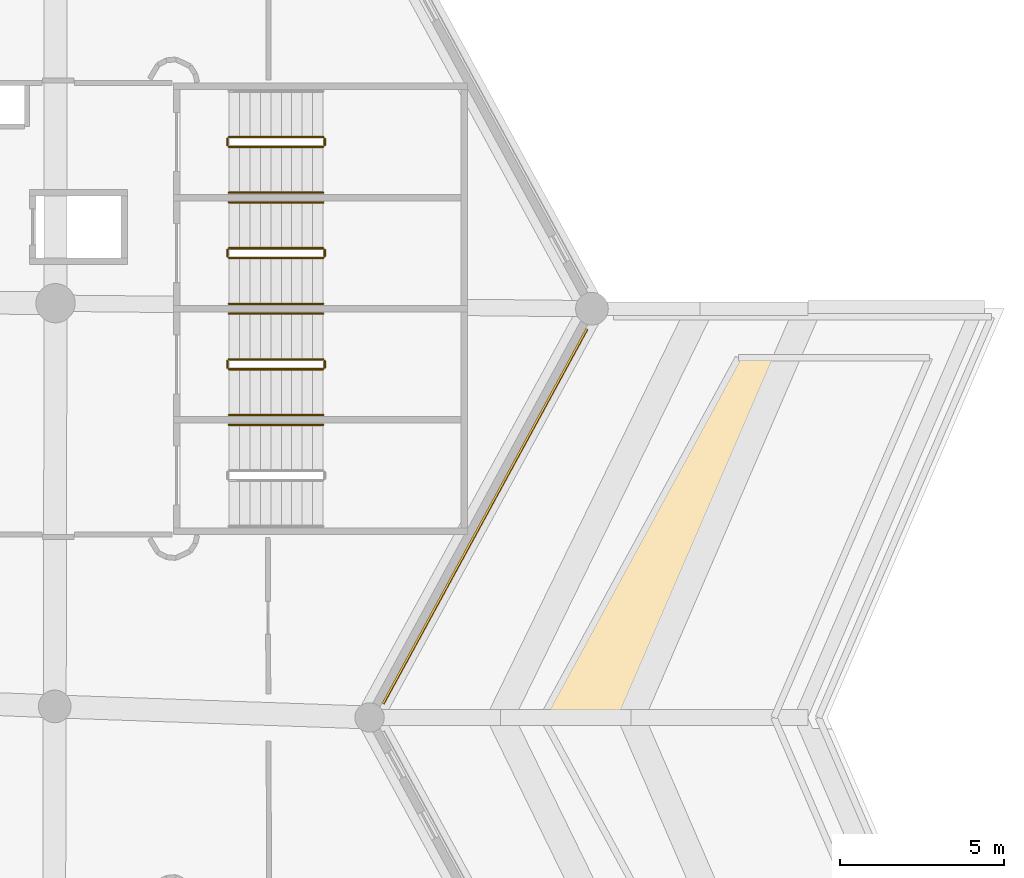
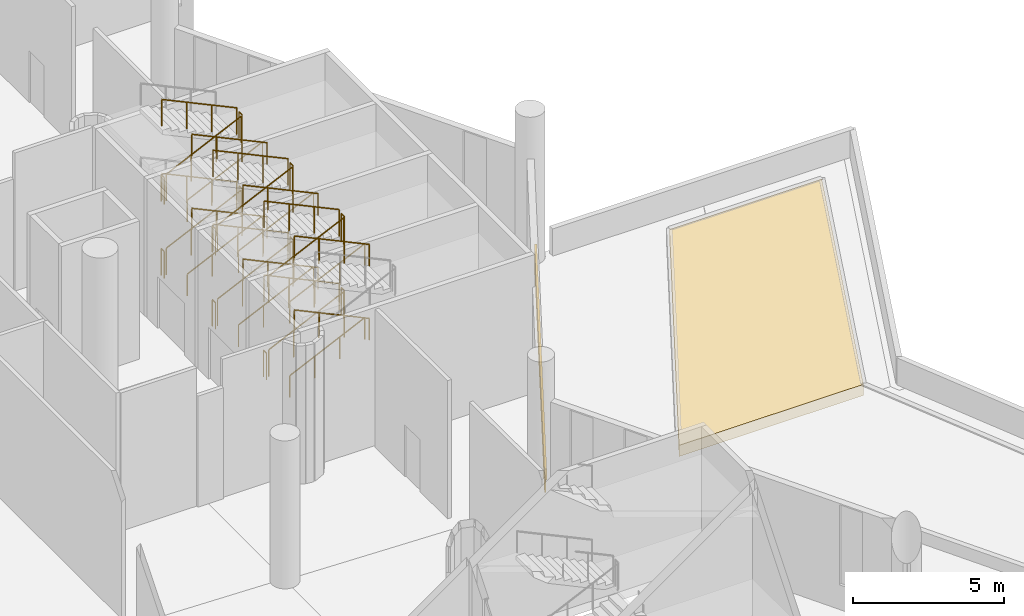
# One storey, part 141 of 173: 35 railings, 3 coverings.
"""IFC4 building model written with IfcOpenShell, lengths in metres."""

import ifcopenshell
import ifcopenshell.guid

model = None  # the IFC model being written
_history = None  # IfcOwnerHistory: only IFC2X3 demands one
_inside = {}  # id of a spatial element -> (the spatial element, [elements in it])
_under = {}  # id of a project, library or spatial element -> (it, [spatial elements below it])
_declared = {}  # id of a project -> (the project, [libraries it declares])
_typed = {}  # id of a type object -> (the type object, [elements of that type])
_made_of = {}  # id of a material, layer set ... -> (it, [elements and type objects made of it])


def new_model(schema):
    """Start an empty IFC model of exactly this schema.

    Asked for "IFC4X3", IfcOpenShell would pick the latest addendum, in which some entities
    have other attributes; the version numbers below select the first issue.
    IFC2X3 requires an IfcOwnerHistory on every rooted entity: one is made here for all.
    """
    global model, _history
    if schema == "IFC4X3":
        model = ifcopenshell.file(schema_version=(4, 3, 0, 0))
    else:
        model = ifcopenshell.file(schema=schema)
    _inside.clear()
    _under.clear()
    _declared.clear()
    _typed.clear()
    _made_of.clear()
    _history = None
    if model.schema == "IFC2X3":
        org = make("IfcOrganization", Name="unknown")
        user = make(
            "IfcPersonAndOrganization",
            ThePerson=make("IfcPerson", FamilyName="unknown"),
            TheOrganization=org,
        )
        app = make(
            "IfcApplication",
            ApplicationDeveloper=org,
            Version="unknown",
            ApplicationFullName="unknown",
            ApplicationIdentifier="unknown",
        )
        _history = make(
            "IfcOwnerHistory",
            OwningUser=user,
            OwningApplication=app,
            ChangeAction="ADDED",
            CreationDate=0,
        )
    return model


def make(cls, **values):
    """One entity of the class cls with the attributes given. An attribute that is None is left unset."""
    return model.create_entity(
        cls, **{name: value for name, value in values.items() if value is not None}
    )


def rooted(cls, **values):
    """An entity with a GlobalId (a new one), such as an element, a storey or a relation."""
    return make(cls, GlobalId=ifcopenshell.guid.new(), OwnerHistory=_history, **values)


def si_unit(unit_type, name, prefix=None):
    """IfcSIUnit, for example si_unit("LENGTHUNIT", "METRE", prefix="MILLI")."""
    return make("IfcSIUnit", UnitType=unit_type, Prefix=prefix, Name=name)


def assignment(units):
    """IfcUnitAssignment: the units of a project."""
    return None if units is None else make("IfcUnitAssignment", Units=units)


def point(xyz):
    """IfcCartesianPoint."""
    return None if xyz is None else make("IfcCartesianPoint", Coordinates=xyz)


def direction(xyz):
    """IfcDirection."""
    return None if xyz is None else make("IfcDirection", DirectionRatios=xyz)


def frame(location, z_axis=None, x_axis=None):
    """IfcAxis2Placement3D, a coordinate frame: its origin and axes. An axis left out is left unset."""
    return make(
        "IfcAxis2Placement3D",
        Location=point(location),
        Axis=direction(z_axis),
        RefDirection=direction(x_axis),
    )


def frame_2d(location, x_axis=None):
    """IfcAxis2Placement2D, a coordinate frame in the plane: its origin and x axis."""
    return make(
        "IfcAxis2Placement2D", Location=point(location), RefDirection=direction(x_axis)
    )


def origin():
    """The frame at (0, 0, 0) with its axes left unset."""
    return frame((0.0, 0.0, 0.0))


def origin_2d():
    """The frame at (0, 0) in the plane with its x axis left unset."""
    return frame_2d((0.0, 0.0))


def place(relative_to, where):
    """IfcLocalPlacement: puts the frame where relative to a parent placement (None: the world)."""
    return make(
        "IfcLocalPlacement", PlacementRelTo=relative_to, RelativePlacement=where
    )


def context(
    kind, dimensions, precision=None, world=None, true_north=None, identifier=None
):
    """IfcGeometricRepresentationContext, for example the 3D "Model" context."""
    return make(
        "IfcGeometricRepresentationContext",
        ContextIdentifier=identifier,
        ContextType=kind,
        CoordinateSpaceDimension=dimensions,
        Precision=precision,
        WorldCoordinateSystem=world,
        TrueNorth=true_north,
    )


def subcontext(parent, identifier, kind, view, scale=None):
    """IfcGeometricRepresentationSubContext, for example "Body" below "Model"."""
    return make(
        "IfcGeometricRepresentationSubContext",
        ContextIdentifier=identifier,
        ContextType=kind,
        ParentContext=parent,
        TargetScale=scale,
        TargetView=view,
    )


def project(units=None, contexts=None):
    """IfcProject with its units and contexts."""
    return rooted(
        "IfcProject",
        Name="project",
        RepresentationContexts=contexts,
        UnitsInContext=assignment(units),
    )


def spatial(cls, under=None, at=None, **own):
    """A site, building, storey or space (cls), placed at a placement, below another one or the project."""
    s = rooted(cls, ObjectPlacement=at, **own)
    if under is not None:
        _under.setdefault(under.id(), (under, []))[1].append(s)
    return s


def polyline(points):
    """IfcPolyline through the points."""
    return make("IfcPolyline", Points=[point(p) for p in points])


def profile(cls, at=None, kind="AREA", **sizes):
    """A parametric profile (cls). Its sizes go by their IFC names, for example OverallWidth=200.0."""
    return make(cls, ProfileType=kind, Position=at, **sizes)


def rectangle(**sizes):
    """IfcRectangleProfileDef."""
    return profile("IfcRectangleProfileDef", **sizes)


def circle(**sizes):
    """IfcCircleProfileDef."""
    return profile("IfcCircleProfileDef", **sizes)


def outline(outer, holes=None, kind="AREA"):
    """IfcArbitraryClosedProfileDef: a profile drawn as a closed curve; with holes, ...WithVoids."""
    if holes is None:
        return make("IfcArbitraryClosedProfileDef", ProfileType=kind, OuterCurve=outer)
    return make(
        "IfcArbitraryProfileDefWithVoids",
        ProfileType=kind,
        OuterCurve=outer,
        InnerCurves=holes,
    )


def extrude(swept, where, along, depth):
    """IfcExtrudedAreaSolid: the profile swept, set in the frame where, extruded along a direction by depth."""
    return make(
        "IfcExtrudedAreaSolid",
        SweptArea=swept,
        Position=where,
        ExtrudedDirection=direction(along),
        Depth=depth,
    )


def shape(context_of_items, identifier, shape_type, items):
    """IfcShapeRepresentation: the items that make up one representation, for example the "Body"."""
    return make(
        "IfcShapeRepresentation",
        ContextOfItems=context_of_items,
        RepresentationIdentifier=identifier,
        RepresentationType=shape_type,
        Items=items,
    )


def material(Name=None, Category=None):
    """IfcMaterial."""
    return make("IfcMaterial", Name=Name, Category=Category)


def layer(
    of_material, thickness, ventilated=None, Name=None, Category=None, Priority=None
):
    """IfcMaterialLayer: one layer of a wall or slab, of a material (None: an air gap)."""
    return make(
        "IfcMaterialLayer",
        Material=of_material,
        LayerThickness=thickness,
        IsVentilated=ventilated,
        Name=Name,
        Category=Category,
        Priority=Priority,
    )


def layer_set(layers, Name=None):
    """IfcMaterialLayerSet."""
    return make("IfcMaterialLayerSet", MaterialLayers=layers, LayerSetName=Name)


def made_of(thing, what):
    """Note that an element or type object is made of a material, layer set ...; save() writes the relation."""
    if what is not None:
        _made_of.setdefault(what.id(), (what, []))[1].append(thing)
    return thing


def type_object(cls, material=None, **own):
    """A type object (cls), such as IfcWallType, which elements share."""
    return made_of(rooted(cls, **own), material)


def element(
    cls,
    number,
    at=None,
    inside=None,
    cuts=None,
    type_object=None,
    material=None,
    context=None,
    identifier="Body",
    shape_type=None,
    held_by="IfcProductDefinitionShape",
    body=None,
    shapes=None,
    **own,
):
    """One element of the class cls, such as IfcWall. Its Tag is "e" and its number.

    at: its placement. inside: the storey or other place that contains it. cuts: it is an
    opening in that element (IfcRelVoidsElement). A single representation is given by context,
    identifier, shape_type and body (its items); several are given by shapes. held_by: the class
    of the entity that holds the representations. save() writes the other relations.
    """
    e = rooted(cls, Tag="e%d" % number, ObjectPlacement=at, **own)
    if body is not None:
        shapes = [shape(context, identifier, shape_type, body)]
    if shapes is not None:
        e.Representation = make(held_by, Representations=shapes)
    if inside is not None:
        _inside.setdefault(inside.id(), (inside, []))[1].append(e)
    if cuts is not None:
        rooted(
            "IfcRelVoidsElement", RelatingBuildingElement=cuts, RelatedOpeningElement=e
        )
    if type_object is not None:
        _typed.setdefault(type_object.id(), (type_object, []))[1].append(e)
    return made_of(e, material)


def aggregate(whole, parts):
    """IfcRelAggregates: a whole, such as a stair, and the parts it consists of."""
    return rooted("IfcRelAggregates", RelatingObject=whole, RelatedObjects=parts)


def save(model, path):
    """Write the relations noted so far, then the file.

    IfcRelAggregates (storeys below a building ...), IfcRelContainedInSpatialStructure (elements
    in a storey), IfcRelDefinesByType, IfcRelAssociatesMaterial and IfcRelDeclares: one each for
    every whole, place, type object, material and project.
    """
    for whole, parts in _under.values():
        aggregate(whole, parts)
    for where, things in _inside.values():
        rooted(
            "IfcRelContainedInSpatialStructure",
            RelatedElements=things,
            RelatingStructure=where,
        )
    for kind, things in _typed.values():
        rooted("IfcRelDefinesByType", RelatedObjects=things, RelatingType=kind)
    for what, things in _made_of.values():
        rooted("IfcRelAssociatesMaterial", RelatedObjects=things, RelatingMaterial=what)
    for by, libraries in _declared.values():
        rooted("IfcRelDeclares", RelatingContext=by, RelatedDefinitions=libraries)
    model.write(path)


model = new_model("IFC4")

# Units and contexts
model_context = context("Model", 3, precision=1e-05, world=origin(), true_north=direction((0.0, 1.0)))
body_context = subcontext(model_context, "Body", "Model", "MODEL_VIEW")
ifc_project = project(units=[si_unit("LENGTHUNIT", "METRE"), si_unit("AREAUNIT", "SQUARE_METRE"), si_unit("VOLUMEUNIT", "CUBIC_METRE"), si_unit("PLANEANGLEUNIT", "RADIAN"), si_unit("MASSUNIT", "GRAM", prefix="KILO")], contexts=[model_context])

# Site, building, storey
site_placement = place(None, origin())
site = spatial("IfcSite", under=ifc_project, at=site_placement, CompositionType="ELEMENT")
building_placement = place(site_placement, origin())
building = spatial("IfcBuilding", under=site, at=building_placement, Name="Meseta Stadium", CompositionType="ELEMENT")
storey_placement = place(building_placement, frame((0.0, 0.0, 18.0)))
storey = spatial("IfcBuildingStorey", under=building, at=storey_placement, Name="L03", CompositionType="ELEMENT", Elevation=18.0)

# Coverings
ifc_material_1 = material(Name="Guadarrama granite cladding", Category="masonry")
ifc_layer_1 = layer(ifc_material_1, 0.06005859375)
ifc_layer_set_1 = layer_set([ifc_layer_1], Name="Granite plinth cladding 60")
covering_type_1 = type_object("IfcCoveringType", Name="Granite plinth cladding 60", PredefinedType="CLADDING", material=ifc_layer_set_1)
covering_1_placement = place(storey_placement, frame((98.124267578125, -12.595947265625, 0.0), z_axis=(0.0, 0.0, 1.0), x_axis=(-0.47786723231, -0.878432073802, 0.0)))
element("IfcCovering", 1, at=covering_1_placement, inside=storey, type_object=covering_type_1, Name="Granite plinth L03 F03", PredefinedType="CLADDING", context=body_context, shape_type="SweptSolid", body=[
    extrude(rectangle(XDim=13.040283203125, YDim=0.06005859375, at=origin_2d()), origin(), (0.0, 0.0, 1.0), 0.5),
])
ifc_material_2 = material(Name="Planting soil")
ifc_layer_2 = layer(ifc_material_2, 0.449951171875)
ifc_layer_set_2 = layer_set([ifc_layer_2], Name="Planting soil 450")
covering_type_2 = type_object("IfcCoveringType", Name="Planting soil 450", PredefinedType="FLOORING", material=ifc_layer_set_2)
covering_2_placement = place(storey_placement, origin())
element("IfcCovering", 2, at=covering_2_placement, inside=storey, type_object=covering_type_2, Name="Roof garden planting bed 8.1 panel 03", PredefinedType="FLOORING", context=body_context, shape_type="SweptSolid", body=[
    extrude(outline(polyline([(105.87744140625, -7.75), (99.8935546875, -18.75), (106.966064453125, -18.75), (111.718017578125, -7.75), (105.87744140625, -7.75)])), origin(), (0.0, 0.0, 1.0), 0.449951171875),
])

# Railings
ifc_material_3 = material(Name="Steel S355", Category="steel")
railing_type_1 = type_object("IfcRailingType", Name="Stair guard 1100", PredefinedType="GUARDRAIL", material=ifc_material_3)
railing_1_placement = place(storey_placement, frame((90.300048828125, -8.10009765625, 0.14990234375)))
element("IfcRailing", 3, at=railing_1_placement, inside=storey, type_object=railing_type_1, Name="ST10 L03 guard 1", PredefinedType="GUARDRAIL", context=body_context, shape_type="SweptSolid", body=[
    extrude(circle(Radius=0.02392578125, at=origin_2d()), frame((0.0, 0.0, 1.076171875), z_axis=(0.905440498372, 0.0, 0.424473207528), x_axis=(0.0, 1.0, 0.0)), (0.0, 0.0, 1.0), 3.1806640625),
    extrude(circle(Radius=0.02099609375, at=origin_2d()), origin(), (0.0, 0.0, 1.0), 1.052001953125),
    extrude(circle(Radius=0.02099609375, at=origin_2d()), frame((0.9599609375, 0.0, 0.449951171875)), (0.0, 0.0, 1.0), 1.052001953125),
    extrude(circle(Radius=0.02099609375, at=origin_2d()), frame((1.919921875, 0.0, 0.900146484375)), (0.0, 0.0, 1.0), 1.052001953125),
    extrude(circle(Radius=0.02099609375, at=origin_2d()), frame((2.8798828125, 0.0, 1.35009765625)), (0.0, 0.0, 1.0), 1.052001953125),
])
railing_2_placement = place(storey_placement, frame((93.22998046875, -8.050048828125, 1.5)))
element("IfcRailing", 4, at=railing_2_placement, inside=storey, type_object=railing_type_1, Name="ST10 L03 guard 2", PredefinedType="GUARDRAIL", context=body_context, shape_type="SweptSolid", body=[
    extrude(circle(Radius=0.02392578125, at=origin_2d()), frame((0.0, 0.0, 1.076171875), z_axis=(0.0, 1.0, 0.0), x_axis=(-1.0, 0.0, 0.0)), (0.0, 0.0, 1.0), 0.199951171875),
    extrude(circle(Radius=0.02099609375, at=origin_2d()), origin(), (0.0, 0.0, 1.0), 1.052001953125),
    extrude(circle(Radius=0.02099609375, at=origin_2d()), frame((0.0, 0.199951171875, 0.0)), (0.0, 0.0, 1.0), 1.052001953125),
])
railing_3_placement = place(storey_placement, frame((93.179931640625, -7.800048828125, 1.64990234375)))
element("IfcRailing", 5, at=railing_3_placement, inside=storey, type_object=railing_type_1, Name="ST10 L03 guard 3", PredefinedType="GUARDRAIL", context=body_context, shape_type="SweptSolid", body=[
    extrude(circle(Radius=0.02392578125, at=origin_2d()), frame((0.0, 0.0, 1.076171875), z_axis=(-0.905440498372, 0.0, 0.424473207528), x_axis=(0.0, -1.0, 0.0)), (0.0, 0.0, 1.0), 3.1806640625),
    extrude(circle(Radius=0.02099609375, at=origin_2d()), origin(), (0.0, 0.0, 1.0), 1.052001953125),
    extrude(circle(Radius=0.02099609375, at=origin_2d()), frame((-0.9599609375, 0.0, 0.449951171875)), (0.0, 0.0, 1.0), 1.052001953125),
    extrude(circle(Radius=0.02099609375, at=origin_2d()), frame((-1.919921875, 0.0, 0.900146484375)), (0.0, 0.0, 1.0), 1.052001953125),
    extrude(circle(Radius=0.02099609375, at=origin_2d()), frame((-2.8798828125, 0.0, 1.35009765625)), (0.0, 0.0, 1.0), 1.052001953125),
])
railing_4_placement = place(storey_placement, frame((90.300048828125, -8.10009765625, 3.14990234375)))
element("IfcRailing", 6, at=railing_4_placement, inside=storey, type_object=railing_type_1, Name="ST10 L03 guard 5", PredefinedType="GUARDRAIL", context=body_context, shape_type="SweptSolid", body=[
    extrude(circle(Radius=0.02392578125, at=origin_2d()), frame((0.0, 0.0, 1.076171875), z_axis=(0.905440498372, 0.0, 0.424473207528), x_axis=(0.0, 1.0, 0.0)), (0.0, 0.0, 1.0), 3.1806640625),
    extrude(circle(Radius=0.02099609375, at=origin_2d()), origin(), (0.0, 0.0, 1.0), 1.052001953125),
    extrude(circle(Radius=0.02099609375, at=origin_2d()), frame((0.9599609375, 0.0, 0.449951171875)), (0.0, 0.0, 1.0), 1.052001953125),
    extrude(circle(Radius=0.02099609375, at=origin_2d()), frame((1.919921875, 0.0, 0.900146484375)), (0.0, 0.0, 1.0), 1.052001953125),
    extrude(circle(Radius=0.02099609375, at=origin_2d()), frame((2.8798828125, 0.0, 1.35009765625)), (0.0, 0.0, 1.0), 1.052001953125),
])
railing_5_placement = place(storey_placement, frame((93.22998046875, -8.050048828125, 4.5)))
element("IfcRailing", 7, at=railing_5_placement, inside=storey, type_object=railing_type_1, Name="ST10 L03 guard 6", PredefinedType="GUARDRAIL", context=body_context, shape_type="SweptSolid", body=[
    extrude(circle(Radius=0.02392578125, at=origin_2d()), frame((0.0, 0.0, 1.076171875), z_axis=(0.0, 1.0, 0.0), x_axis=(-1.0, 0.0, 0.0)), (0.0, 0.0, 1.0), 0.199951171875),
    extrude(circle(Radius=0.02099609375, at=origin_2d()), origin(), (0.0, 0.0, 1.0), 1.052001953125),
    extrude(circle(Radius=0.02099609375, at=origin_2d()), frame((0.0, 0.199951171875, 0.0)), (0.0, 0.0, 1.0), 1.052001953125),
])
railing_6_placement = place(storey_placement, frame((93.179931640625, -7.800048828125, 4.64990234375)))
element("IfcRailing", 8, at=railing_6_placement, inside=storey, type_object=railing_type_1, Name="ST10 L03 guard 7", PredefinedType="GUARDRAIL", context=body_context, shape_type="SweptSolid", body=[
    extrude(circle(Radius=0.02392578125, at=origin_2d()), frame((0.0, 0.0, 1.076171875), z_axis=(-0.905440498372, 0.0, 0.424473207528), x_axis=(0.0, -1.0, 0.0)), (0.0, 0.0, 1.0), 3.1806640625),
    extrude(circle(Radius=0.02099609375, at=origin_2d()), origin(), (0.0, 0.0, 1.0), 1.052001953125),
    extrude(circle(Radius=0.02099609375, at=origin_2d()), frame((-0.9599609375, 0.0, 0.449951171875)), (0.0, 0.0, 1.0), 1.052001953125),
    extrude(circle(Radius=0.02099609375, at=origin_2d()), frame((-1.919921875, 0.0, 0.900146484375)), (0.0, 0.0, 1.0), 1.052001953125),
    extrude(circle(Radius=0.02099609375, at=origin_2d()), frame((-2.8798828125, 0.0, 1.35009765625)), (0.0, 0.0, 1.0), 1.052001953125),
])
railing_7_placement = place(storey_placement, frame((90.25, -8.050048828125, 0.0)))
element("IfcRailing", 9, at=railing_7_placement, inside=storey, type_object=railing_type_1, Name="ST10 L03 guard 8", PredefinedType="GUARDRAIL", context=body_context, shape_type="SweptSolid", body=[
    extrude(circle(Radius=0.02392578125, at=origin_2d()), frame((0.0, 0.0, 1.076171875), z_axis=(0.0, 1.0, 0.0), x_axis=(-1.0, 0.0, 0.0)), (0.0, 0.0, 1.0), 0.199951171875),
    extrude(circle(Radius=0.02099609375, at=origin_2d()), origin(), (0.0, 0.0, 1.0), 1.052001953125),
    extrude(circle(Radius=0.02099609375, at=origin_2d()), frame((0.0, 0.199951171875, 0.0)), (0.0, 0.0, 1.0), 1.052001953125),
])
railing_8_placement = place(storey_placement, frame((90.300048828125, -4.699951171875, 0.14990234375)))
element("IfcRailing", 10, at=railing_8_placement, inside=storey, type_object=railing_type_1, Name="ST11 L03 guard 1", PredefinedType="GUARDRAIL", context=body_context, shape_type="SweptSolid", body=[
    extrude(circle(Radius=0.02392578125, at=origin_2d()), frame((0.0, 0.0, 1.076171875), z_axis=(0.905440498372, 0.0, 0.424473207528), x_axis=(0.0, 1.0, 0.0)), (0.0, 0.0, 1.0), 3.1806640625),
    extrude(circle(Radius=0.02099609375, at=origin_2d()), origin(), (0.0, 0.0, 1.0), 1.052001953125),
    extrude(circle(Radius=0.02099609375, at=origin_2d()), frame((0.9599609375, 0.0, 0.449951171875)), (0.0, 0.0, 1.0), 1.052001953125),
    extrude(circle(Radius=0.02099609375, at=origin_2d()), frame((1.919921875, 0.0, 0.900146484375)), (0.0, 0.0, 1.0), 1.052001953125),
    extrude(circle(Radius=0.02099609375, at=origin_2d()), frame((2.8798828125, 0.0, 1.35009765625)), (0.0, 0.0, 1.0), 1.052001953125),
])
railing_9_placement = place(storey_placement, frame((93.22998046875, -4.64990234375, 1.5)))
element("IfcRailing", 11, at=railing_9_placement, inside=storey, type_object=railing_type_1, Name="ST11 L03 guard 2", PredefinedType="GUARDRAIL", context=body_context, shape_type="SweptSolid", body=[
    extrude(circle(Radius=0.02392578125, at=origin_2d()), frame((0.0, 0.0, 1.076171875), z_axis=(0.0, 1.0, 0.0), x_axis=(-1.0, 0.0, 0.0)), (0.0, 0.0, 1.0), 0.199951171875),
    extrude(circle(Radius=0.02099609375, at=origin_2d()), origin(), (0.0, 0.0, 1.0), 1.052001953125),
    extrude(circle(Radius=0.02099609375, at=origin_2d()), frame((0.0, 0.199951171875, 0.0)), (0.0, 0.0, 1.0), 1.052001953125),
])
railing_10_placement = place(storey_placement, frame((93.179931640625, -4.39990234375, 1.64990234375)))
element("IfcRailing", 12, at=railing_10_placement, inside=storey, type_object=railing_type_1, Name="ST11 L03 guard 3", PredefinedType="GUARDRAIL", context=body_context, shape_type="SweptSolid", body=[
    extrude(circle(Radius=0.02392578125, at=origin_2d()), frame((0.0, 0.0, 1.076171875), z_axis=(-0.905440498372, 0.0, 0.424473207528), x_axis=(0.0, -1.0, 0.0)), (0.0, 0.0, 1.0), 3.1806640625),
    extrude(circle(Radius=0.02099609375, at=origin_2d()), origin(), (0.0, 0.0, 1.0), 1.052001953125),
    extrude(circle(Radius=0.02099609375, at=origin_2d()), frame((-0.9599609375, 0.0, 0.449951171875)), (0.0, 0.0, 1.0), 1.052001953125),
    extrude(circle(Radius=0.02099609375, at=origin_2d()), frame((-1.919921875, 0.0, 0.900146484375)), (0.0, 0.0, 1.0), 1.052001953125),
    extrude(circle(Radius=0.02099609375, at=origin_2d()), frame((-2.8798828125, 0.0, 1.35009765625)), (0.0, 0.0, 1.0), 1.052001953125),
])
railing_11_placement = place(storey_placement, frame((90.25, -4.64990234375, 3.0)))
element("IfcRailing", 13, at=railing_11_placement, inside=storey, type_object=railing_type_1, Name="ST11 L03 guard 4", PredefinedType="GUARDRAIL", context=body_context, shape_type="SweptSolid", body=[
    extrude(circle(Radius=0.02392578125, at=origin_2d()), frame((0.0, 0.0, 1.076171875), z_axis=(0.0, 1.0, 0.0), x_axis=(-1.0, 0.0, 0.0)), (0.0, 0.0, 1.0), 0.199951171875),
    extrude(circle(Radius=0.02099609375, at=origin_2d()), origin(), (0.0, 0.0, 1.0), 1.052001953125),
    extrude(circle(Radius=0.02099609375, at=origin_2d()), frame((0.0, 0.199951171875, 0.0)), (0.0, 0.0, 1.0), 1.052001953125),
])
railing_12_placement = place(storey_placement, frame((90.300048828125, -4.699951171875, 3.14990234375)))
element("IfcRailing", 14, at=railing_12_placement, inside=storey, type_object=railing_type_1, Name="ST11 L03 guard 5", PredefinedType="GUARDRAIL", context=body_context, shape_type="SweptSolid", body=[
    extrude(circle(Radius=0.02392578125, at=origin_2d()), frame((0.0, 0.0, 1.076171875), z_axis=(0.905440498372, 0.0, 0.424473207528), x_axis=(0.0, 1.0, 0.0)), (0.0, 0.0, 1.0), 3.1806640625),
    extrude(circle(Radius=0.02099609375, at=origin_2d()), origin(), (0.0, 0.0, 1.0), 1.052001953125),
    extrude(circle(Radius=0.02099609375, at=origin_2d()), frame((0.9599609375, 0.0, 0.449951171875)), (0.0, 0.0, 1.0), 1.052001953125),
    extrude(circle(Radius=0.02099609375, at=origin_2d()), frame((1.919921875, 0.0, 0.900146484375)), (0.0, 0.0, 1.0), 1.052001953125),
    extrude(circle(Radius=0.02099609375, at=origin_2d()), frame((2.8798828125, 0.0, 1.35009765625)), (0.0, 0.0, 1.0), 1.052001953125),
])
railing_13_placement = place(storey_placement, frame((93.22998046875, -4.64990234375, 4.5)))
element("IfcRailing", 15, at=railing_13_placement, inside=storey, type_object=railing_type_1, Name="ST11 L03 guard 6", PredefinedType="GUARDRAIL", context=body_context, shape_type="SweptSolid", body=[
    extrude(circle(Radius=0.02392578125, at=origin_2d()), frame((0.0, 0.0, 1.076171875), z_axis=(0.0, 1.0, 0.0), x_axis=(-1.0, 0.0, 0.0)), (0.0, 0.0, 1.0), 0.199951171875),
    extrude(circle(Radius=0.02099609375, at=origin_2d()), origin(), (0.0, 0.0, 1.0), 1.052001953125),
    extrude(circle(Radius=0.02099609375, at=origin_2d()), frame((0.0, 0.199951171875, 0.0)), (0.0, 0.0, 1.0), 1.052001953125),
])
railing_14_placement = place(storey_placement, frame((93.179931640625, -4.39990234375, 4.64990234375)))
element("IfcRailing", 16, at=railing_14_placement, inside=storey, type_object=railing_type_1, Name="ST11 L03 guard 7", PredefinedType="GUARDRAIL", context=body_context, shape_type="SweptSolid", body=[
    extrude(circle(Radius=0.02392578125, at=origin_2d()), frame((0.0, 0.0, 1.076171875), z_axis=(-0.905440498372, 0.0, 0.424473207528), x_axis=(0.0, -1.0, 0.0)), (0.0, 0.0, 1.0), 3.1806640625),
    extrude(circle(Radius=0.02099609375, at=origin_2d()), origin(), (0.0, 0.0, 1.0), 1.052001953125),
    extrude(circle(Radius=0.02099609375, at=origin_2d()), frame((-0.9599609375, 0.0, 0.449951171875)), (0.0, 0.0, 1.0), 1.052001953125),
    extrude(circle(Radius=0.02099609375, at=origin_2d()), frame((-1.919921875, 0.0, 0.900146484375)), (0.0, 0.0, 1.0), 1.052001953125),
    extrude(circle(Radius=0.02099609375, at=origin_2d()), frame((-2.8798828125, 0.0, 1.35009765625)), (0.0, 0.0, 1.0), 1.052001953125),
])
railing_15_placement = place(storey_placement, frame((90.25, -4.64990234375, 0.0)))
element("IfcRailing", 17, at=railing_15_placement, inside=storey, type_object=railing_type_1, Name="ST11 L03 guard 8", PredefinedType="GUARDRAIL", context=body_context, shape_type="SweptSolid", body=[
    extrude(circle(Radius=0.02392578125, at=origin_2d()), frame((0.0, 0.0, 1.076171875), z_axis=(0.0, 1.0, 0.0), x_axis=(-1.0, 0.0, 0.0)), (0.0, 0.0, 1.0), 0.199951171875),
    extrude(circle(Radius=0.02099609375, at=origin_2d()), origin(), (0.0, 0.0, 1.0), 1.052001953125),
    extrude(circle(Radius=0.02099609375, at=origin_2d()), frame((0.0, 0.199951171875, 0.0)), (0.0, 0.0, 1.0), 1.052001953125),
])
railing_16_placement = place(storey_placement, frame((90.300048828125, -1.300048828125, 0.14990234375)))
element("IfcRailing", 18, at=railing_16_placement, inside=storey, type_object=railing_type_1, Name="ST12 L03 guard 1", PredefinedType="GUARDRAIL", context=body_context, shape_type="SweptSolid", body=[
    extrude(circle(Radius=0.02392578125, at=origin_2d()), frame((0.0, 0.0, 1.076171875), z_axis=(0.905440498372, 0.0, 0.424473207528), x_axis=(0.0, 1.0, 0.0)), (0.0, 0.0, 1.0), 3.1806640625),
    extrude(circle(Radius=0.02099609375, at=origin_2d()), origin(), (0.0, 0.0, 1.0), 1.052001953125),
    extrude(circle(Radius=0.02099609375, at=origin_2d()), frame((0.9599609375, 0.0, 0.449951171875)), (0.0, 0.0, 1.0), 1.052001953125),
    extrude(circle(Radius=0.02099609375, at=origin_2d()), frame((1.919921875, 0.0, 0.900146484375)), (0.0, 0.0, 1.0), 1.052001953125),
    extrude(circle(Radius=0.02099609375, at=origin_2d()), frame((2.8798828125, 0.0, 1.35009765625)), (0.0, 0.0, 1.0), 1.052001953125),
])
railing_17_placement = place(storey_placement, frame((93.22998046875, -1.25, 1.5)))
element("IfcRailing", 19, at=railing_17_placement, inside=storey, type_object=railing_type_1, Name="ST12 L03 guard 2", PredefinedType="GUARDRAIL", context=body_context, shape_type="SweptSolid", body=[
    extrude(circle(Radius=0.02392578125, at=origin_2d()), frame((0.0, 0.0, 1.076171875), z_axis=(0.0, 1.0, 0.0), x_axis=(-1.0, 0.0, 0.0)), (0.0, 0.0, 1.0), 0.199951171875),
    extrude(circle(Radius=0.02099609375, at=origin_2d()), origin(), (0.0, 0.0, 1.0), 1.052001953125),
    extrude(circle(Radius=0.02099609375, at=origin_2d()), frame((0.0, 0.199951171875, 0.0)), (0.0, 0.0, 1.0), 1.052001953125),
])
railing_18_placement = place(storey_placement, frame((93.179931640625, -1.0, 1.64990234375)))
element("IfcRailing", 20, at=railing_18_placement, inside=storey, type_object=railing_type_1, Name="ST12 L03 guard 3", PredefinedType="GUARDRAIL", context=body_context, shape_type="SweptSolid", body=[
    extrude(circle(Radius=0.02392578125, at=origin_2d()), frame((0.0, 0.0, 1.076171875), z_axis=(-0.905440498372, 0.0, 0.424473207528), x_axis=(0.0, -1.0, 0.0)), (0.0, 0.0, 1.0), 3.1806640625),
    extrude(circle(Radius=0.02099609375, at=origin_2d()), origin(), (0.0, 0.0, 1.0), 1.052001953125),
    extrude(circle(Radius=0.02099609375, at=origin_2d()), frame((-0.9599609375, 0.0, 0.449951171875)), (0.0, 0.0, 1.0), 1.052001953125),
    extrude(circle(Radius=0.02099609375, at=origin_2d()), frame((-1.919921875, 0.0, 0.900146484375)), (0.0, 0.0, 1.0), 1.052001953125),
    extrude(circle(Radius=0.02099609375, at=origin_2d()), frame((-2.8798828125, 0.0, 1.35009765625)), (0.0, 0.0, 1.0), 1.052001953125),
])
railing_19_placement = place(storey_placement, frame((90.25, -1.25, 3.0)))
element("IfcRailing", 21, at=railing_19_placement, inside=storey, type_object=railing_type_1, Name="ST12 L03 guard 4", PredefinedType="GUARDRAIL", context=body_context, shape_type="SweptSolid", body=[
    extrude(circle(Radius=0.02392578125, at=origin_2d()), frame((0.0, 0.0, 1.076171875), z_axis=(0.0, 1.0, 0.0), x_axis=(-1.0, 0.0, 0.0)), (0.0, 0.0, 1.0), 0.199951171875),
    extrude(circle(Radius=0.02099609375, at=origin_2d()), origin(), (0.0, 0.0, 1.0), 1.052001953125),
    extrude(circle(Radius=0.02099609375, at=origin_2d()), frame((0.0, 0.199951171875, 0.0)), (0.0, 0.0, 1.0), 1.052001953125),
])
railing_20_placement = place(storey_placement, frame((90.300048828125, -1.300048828125, 3.14990234375)))
element("IfcRailing", 22, at=railing_20_placement, inside=storey, type_object=railing_type_1, Name="ST12 L03 guard 5", PredefinedType="GUARDRAIL", context=body_context, shape_type="SweptSolid", body=[
    extrude(circle(Radius=0.02392578125, at=origin_2d()), frame((0.0, 0.0, 1.076171875), z_axis=(0.905440498372, 0.0, 0.424473207528), x_axis=(0.0, 1.0, 0.0)), (0.0, 0.0, 1.0), 3.1806640625),
    extrude(circle(Radius=0.02099609375, at=origin_2d()), origin(), (0.0, 0.0, 1.0), 1.052001953125),
    extrude(circle(Radius=0.02099609375, at=origin_2d()), frame((0.9599609375, 0.0, 0.449951171875)), (0.0, 0.0, 1.0), 1.052001953125),
    extrude(circle(Radius=0.02099609375, at=origin_2d()), frame((1.919921875, 0.0, 0.900146484375)), (0.0, 0.0, 1.0), 1.052001953125),
    extrude(circle(Radius=0.02099609375, at=origin_2d()), frame((2.8798828125, 0.0, 1.35009765625)), (0.0, 0.0, 1.0), 1.052001953125),
])
railing_21_placement = place(storey_placement, frame((93.22998046875, -1.25, 4.5)))
element("IfcRailing", 23, at=railing_21_placement, inside=storey, type_object=railing_type_1, Name="ST12 L03 guard 6", PredefinedType="GUARDRAIL", context=body_context, shape_type="SweptSolid", body=[
    extrude(circle(Radius=0.02392578125, at=origin_2d()), frame((0.0, 0.0, 1.076171875), z_axis=(0.0, 1.0, 0.0), x_axis=(-1.0, 0.0, 0.0)), (0.0, 0.0, 1.0), 0.199951171875),
    extrude(circle(Radius=0.02099609375, at=origin_2d()), origin(), (0.0, 0.0, 1.0), 1.052001953125),
    extrude(circle(Radius=0.02099609375, at=origin_2d()), frame((0.0, 0.199951171875, 0.0)), (0.0, 0.0, 1.0), 1.052001953125),
])
railing_22_placement = place(storey_placement, frame((93.179931640625, -1.0, 4.64990234375)))
element("IfcRailing", 24, at=railing_22_placement, inside=storey, type_object=railing_type_1, Name="ST12 L03 guard 7", PredefinedType="GUARDRAIL", context=body_context, shape_type="SweptSolid", body=[
    extrude(circle(Radius=0.02392578125, at=origin_2d()), frame((0.0, 0.0, 1.076171875), z_axis=(-0.905440498372, 0.0, 0.424473207528), x_axis=(0.0, -1.0, 0.0)), (0.0, 0.0, 1.0), 3.1806640625),
    extrude(circle(Radius=0.02099609375, at=origin_2d()), origin(), (0.0, 0.0, 1.0), 1.052001953125),
    extrude(circle(Radius=0.02099609375, at=origin_2d()), frame((-0.9599609375, 0.0, 0.449951171875)), (0.0, 0.0, 1.0), 1.052001953125),
    extrude(circle(Radius=0.02099609375, at=origin_2d()), frame((-1.919921875, 0.0, 0.900146484375)), (0.0, 0.0, 1.0), 1.052001953125),
    extrude(circle(Radius=0.02099609375, at=origin_2d()), frame((-2.8798828125, 0.0, 1.35009765625)), (0.0, 0.0, 1.0), 1.052001953125),
])
railing_23_placement = place(storey_placement, frame((90.25, -1.25, 0.0)))
element("IfcRailing", 25, at=railing_23_placement, inside=storey, type_object=railing_type_1, Name="ST12 L03 guard 8", PredefinedType="GUARDRAIL", context=body_context, shape_type="SweptSolid", body=[
    extrude(circle(Radius=0.02392578125, at=origin_2d()), frame((0.0, 0.0, 1.076171875), z_axis=(0.0, 1.0, 0.0), x_axis=(-1.0, 0.0, 0.0)), (0.0, 0.0, 1.0), 0.199951171875),
    extrude(circle(Radius=0.02099609375, at=origin_2d()), origin(), (0.0, 0.0, 1.0), 1.052001953125),
    extrude(circle(Radius=0.02099609375, at=origin_2d()), frame((0.0, 0.199951171875, 0.0)), (0.0, 0.0, 1.0), 1.052001953125),
])
ifc_material_4 = material(Name="Steel S355", Category="steel")
railing_type_2 = type_object("IfcRailingType", Name="Stair handrail 900", PredefinedType="HANDRAIL", material=ifc_material_4)
for number, where, name in (
    (26, (93.179931640625, -9.800048828125, 1.64990234375), "ST9 L03 handrail 2"),
    (27, (93.179931640625, -9.800048828125, 4.64990234375), "ST9 L03 handrail 4"),
):
    element("IfcRailing", number, at=place(storey_placement, frame(where)), inside=storey, type_object=railing_type_2, Name=name, PredefinedType="HANDRAIL", context=body_context, shape_type="SweptSolid", body=[
        extrude(circle(Radius=0.02392578125, at=origin_2d()), frame((0.0, 0.0, 0.8759765625), z_axis=(-0.905440498372, 0.0, 0.424473207528), x_axis=(0.0, -1.0, 0.0)), (0.0, 0.0, 1.0), 3.1806640625),
        extrude(circle(Radius=0.02099609375, at=origin_2d()), origin(), (0.0, 0.0, 1.0), 0.851806640625),
        extrude(circle(Radius=0.02099609375, at=origin_2d()), frame((-0.9599609375, 0.0, 0.449951171875)), (0.0, 0.0, 1.0), 0.851806640625),
        extrude(circle(Radius=0.02099609375, at=origin_2d()), frame((-1.919921875, 0.0, 0.900146484375)), (0.0, 0.0, 1.0), 0.851806640625),
        extrude(circle(Radius=0.02099609375, at=origin_2d()), frame((-2.8798828125, 0.0, 1.35009765625)), (0.0, 0.0, 1.0), 0.851806640625),
    ])
railing_24_placement = place(storey_placement, frame((90.300048828125, -9.5, 0.14990234375)))
element("IfcRailing", 28, at=railing_24_placement, inside=storey, type_object=railing_type_2, Name="ST10 L03 handrail 1", PredefinedType="HANDRAIL", context=body_context, shape_type="SweptSolid", body=[
    extrude(circle(Radius=0.02392578125, at=origin_2d()), frame((0.0, 0.0, 0.8759765625), z_axis=(0.905440498372, 0.0, 0.424473207528), x_axis=(0.0, 1.0, 0.0)), (0.0, 0.0, 1.0), 3.1806640625),
    extrude(circle(Radius=0.02099609375, at=origin_2d()), origin(), (0.0, 0.0, 1.0), 0.851806640625),
    extrude(circle(Radius=0.02099609375, at=origin_2d()), frame((0.9599609375, 0.0, 0.449951171875)), (0.0, 0.0, 1.0), 0.851806640625),
    extrude(circle(Radius=0.02099609375, at=origin_2d()), frame((1.919921875, 0.0, 0.900146484375)), (0.0, 0.0, 1.0), 0.851806640625),
    extrude(circle(Radius=0.02099609375, at=origin_2d()), frame((2.8798828125, 0.0, 1.35009765625)), (0.0, 0.0, 1.0), 0.851806640625),
])
railing_25_placement = place(storey_placement, frame((93.179931640625, -6.39990234375, 1.64990234375)))
element("IfcRailing", 29, at=railing_25_placement, inside=storey, type_object=railing_type_2, Name="ST10 L03 handrail 2", PredefinedType="HANDRAIL", context=body_context, shape_type="SweptSolid", body=[
    extrude(circle(Radius=0.02392578125, at=origin_2d()), frame((0.0, 0.0, 0.8759765625), z_axis=(-0.905440498372, 0.0, 0.424473207528), x_axis=(0.0, -1.0, 0.0)), (0.0, 0.0, 1.0), 3.1806640625),
    extrude(circle(Radius=0.02099609375, at=origin_2d()), origin(), (0.0, 0.0, 1.0), 0.851806640625),
    extrude(circle(Radius=0.02099609375, at=origin_2d()), frame((-0.9599609375, 0.0, 0.449951171875)), (0.0, 0.0, 1.0), 0.851806640625),
    extrude(circle(Radius=0.02099609375, at=origin_2d()), frame((-1.919921875, 0.0, 0.900146484375)), (0.0, 0.0, 1.0), 0.851806640625),
    extrude(circle(Radius=0.02099609375, at=origin_2d()), frame((-2.8798828125, 0.0, 1.35009765625)), (0.0, 0.0, 1.0), 0.851806640625),
])
railing_26_placement = place(storey_placement, frame((90.300048828125, -9.5, 3.14990234375)))
element("IfcRailing", 30, at=railing_26_placement, inside=storey, type_object=railing_type_2, Name="ST10 L03 handrail 3", PredefinedType="HANDRAIL", context=body_context, shape_type="SweptSolid", body=[
    extrude(circle(Radius=0.02392578125, at=origin_2d()), frame((0.0, 0.0, 0.8759765625), z_axis=(0.905440498372, 0.0, 0.424473207528), x_axis=(0.0, 1.0, 0.0)), (0.0, 0.0, 1.0), 3.1806640625),
    extrude(circle(Radius=0.02099609375, at=origin_2d()), origin(), (0.0, 0.0, 1.0), 0.851806640625),
    extrude(circle(Radius=0.02099609375, at=origin_2d()), frame((0.9599609375, 0.0, 0.449951171875)), (0.0, 0.0, 1.0), 0.851806640625),
    extrude(circle(Radius=0.02099609375, at=origin_2d()), frame((1.919921875, 0.0, 0.900146484375)), (0.0, 0.0, 1.0), 0.851806640625),
    extrude(circle(Radius=0.02099609375, at=origin_2d()), frame((2.8798828125, 0.0, 1.35009765625)), (0.0, 0.0, 1.0), 0.851806640625),
])
railing_27_placement = place(storey_placement, frame((93.179931640625, -6.39990234375, 4.64990234375)))
element("IfcRailing", 31, at=railing_27_placement, inside=storey, type_object=railing_type_2, Name="ST10 L03 handrail 4", PredefinedType="HANDRAIL", context=body_context, shape_type="SweptSolid", body=[
    extrude(circle(Radius=0.02392578125, at=origin_2d()), frame((0.0, 0.0, 0.8759765625), z_axis=(-0.905440498372, 0.0, 0.424473207528), x_axis=(0.0, -1.0, 0.0)), (0.0, 0.0, 1.0), 3.1806640625),
    extrude(circle(Radius=0.02099609375, at=origin_2d()), origin(), (0.0, 0.0, 1.0), 0.851806640625),
    extrude(circle(Radius=0.02099609375, at=origin_2d()), frame((-0.9599609375, 0.0, 0.449951171875)), (0.0, 0.0, 1.0), 0.851806640625),
    extrude(circle(Radius=0.02099609375, at=origin_2d()), frame((-1.919921875, 0.0, 0.900146484375)), (0.0, 0.0, 1.0), 0.851806640625),
    extrude(circle(Radius=0.02099609375, at=origin_2d()), frame((-2.8798828125, 0.0, 1.35009765625)), (0.0, 0.0, 1.0), 0.851806640625),
])
railing_28_placement = place(storey_placement, frame((90.300048828125, -6.10009765625, 0.14990234375)))
element("IfcRailing", 32, at=railing_28_placement, inside=storey, type_object=railing_type_2, Name="ST11 L03 handrail 1", PredefinedType="HANDRAIL", context=body_context, shape_type="SweptSolid", body=[
    extrude(circle(Radius=0.02392578125, at=origin_2d()), frame((0.0, 0.0, 0.8759765625), z_axis=(0.905440498372, 0.0, 0.424473207528), x_axis=(0.0, 1.0, 0.0)), (0.0, 0.0, 1.0), 3.1806640625),
    extrude(circle(Radius=0.02099609375, at=origin_2d()), origin(), (0.0, 0.0, 1.0), 0.851806640625),
    extrude(circle(Radius=0.02099609375, at=origin_2d()), frame((0.9599609375, 0.0, 0.449951171875)), (0.0, 0.0, 1.0), 0.851806640625),
    extrude(circle(Radius=0.02099609375, at=origin_2d()), frame((1.919921875, 0.0, 0.900146484375)), (0.0, 0.0, 1.0), 0.851806640625),
    extrude(circle(Radius=0.02099609375, at=origin_2d()), frame((2.8798828125, 0.0, 1.35009765625)), (0.0, 0.0, 1.0), 0.851806640625),
])
railing_29_placement = place(storey_placement, frame((93.179931640625, -3.0, 1.64990234375)))
element("IfcRailing", 33, at=railing_29_placement, inside=storey, type_object=railing_type_2, Name="ST11 L03 handrail 2", PredefinedType="HANDRAIL", context=body_context, shape_type="SweptSolid", body=[
    extrude(circle(Radius=0.02392578125, at=origin_2d()), frame((0.0, 0.0, 0.8759765625), z_axis=(-0.905440498372, 0.0, 0.424473207528), x_axis=(0.0, -1.0, 0.0)), (0.0, 0.0, 1.0), 3.1806640625),
    extrude(circle(Radius=0.02099609375, at=origin_2d()), origin(), (0.0, 0.0, 1.0), 0.851806640625),
    extrude(circle(Radius=0.02099609375, at=origin_2d()), frame((-0.9599609375, 0.0, 0.449951171875)), (0.0, 0.0, 1.0), 0.851806640625),
    extrude(circle(Radius=0.02099609375, at=origin_2d()), frame((-1.919921875, 0.0, 0.900146484375)), (0.0, 0.0, 1.0), 0.851806640625),
    extrude(circle(Radius=0.02099609375, at=origin_2d()), frame((-2.8798828125, 0.0, 1.35009765625)), (0.0, 0.0, 1.0), 0.851806640625),
])
railing_30_placement = place(storey_placement, frame((90.300048828125, -6.10009765625, 3.14990234375)))
element("IfcRailing", 34, at=railing_30_placement, inside=storey, type_object=railing_type_2, Name="ST11 L03 handrail 3", PredefinedType="HANDRAIL", context=body_context, shape_type="SweptSolid", body=[
    extrude(circle(Radius=0.02392578125, at=origin_2d()), frame((0.0, 0.0, 0.8759765625), z_axis=(0.905440498372, 0.0, 0.424473207528), x_axis=(0.0, 1.0, 0.0)), (0.0, 0.0, 1.0), 3.1806640625),
    extrude(circle(Radius=0.02099609375, at=origin_2d()), origin(), (0.0, 0.0, 1.0), 0.851806640625),
    extrude(circle(Radius=0.02099609375, at=origin_2d()), frame((0.9599609375, 0.0, 0.449951171875)), (0.0, 0.0, 1.0), 0.851806640625),
    extrude(circle(Radius=0.02099609375, at=origin_2d()), frame((1.919921875, 0.0, 0.900146484375)), (0.0, 0.0, 1.0), 0.851806640625),
    extrude(circle(Radius=0.02099609375, at=origin_2d()), frame((2.8798828125, 0.0, 1.35009765625)), (0.0, 0.0, 1.0), 0.851806640625),
])
railing_31_placement = place(storey_placement, frame((93.179931640625, -3.0, 4.64990234375)))
element("IfcRailing", 35, at=railing_31_placement, inside=storey, type_object=railing_type_2, Name="ST11 L03 handrail 4", PredefinedType="HANDRAIL", context=body_context, shape_type="SweptSolid", body=[
    extrude(circle(Radius=0.02392578125, at=origin_2d()), frame((0.0, 0.0, 0.8759765625), z_axis=(-0.905440498372, 0.0, 0.424473207528), x_axis=(0.0, -1.0, 0.0)), (0.0, 0.0, 1.0), 3.1806640625),
    extrude(circle(Radius=0.02099609375, at=origin_2d()), origin(), (0.0, 0.0, 1.0), 0.851806640625),
    extrude(circle(Radius=0.02099609375, at=origin_2d()), frame((-0.9599609375, 0.0, 0.449951171875)), (0.0, 0.0, 1.0), 0.851806640625),
    extrude(circle(Radius=0.02099609375, at=origin_2d()), frame((-1.919921875, 0.0, 0.900146484375)), (0.0, 0.0, 1.0), 0.851806640625),
    extrude(circle(Radius=0.02099609375, at=origin_2d()), frame((-2.8798828125, 0.0, 1.35009765625)), (0.0, 0.0, 1.0), 0.851806640625),
])
for number, where, name in (
    (36, (90.300048828125, -2.699951171875, 0.14990234375), "ST12 L03 handrail 1"),
    (37, (90.300048828125, -2.699951171875, 3.14990234375), "ST12 L03 handrail 3"),
):
    element("IfcRailing", number, at=place(storey_placement, frame(where)), inside=storey, type_object=railing_type_2, Name=name, PredefinedType="HANDRAIL", context=body_context, shape_type="SweptSolid", body=[
        extrude(circle(Radius=0.02392578125, at=origin_2d()), frame((0.0, 0.0, 0.8759765625), z_axis=(0.905440498372, 0.0, 0.424473207528), x_axis=(0.0, 1.0, 0.0)), (0.0, 0.0, 1.0), 3.1806640625),
        extrude(circle(Radius=0.02099609375, at=origin_2d()), origin(), (0.0, 0.0, 1.0), 0.851806640625),
        extrude(circle(Radius=0.02099609375, at=origin_2d()), frame((0.9599609375, 0.0, 0.449951171875)), (0.0, 0.0, 1.0), 0.851806640625),
        extrude(circle(Radius=0.02099609375, at=origin_2d()), frame((1.919921875, 0.0, 0.900146484375)), (0.0, 0.0, 1.0), 0.851806640625),
        extrude(circle(Radius=0.02099609375, at=origin_2d()), frame((2.8798828125, 0.0, 1.35009765625)), (0.0, 0.0, 1.0), 0.851806640625),
    ])

# Covering
ifc_material_5 = material(Name="Precast concrete C40/50, terracotta pigment", Category="masonry")
ifc_layer_3 = layer(ifc_material_5, 0.080078125)
ifc_layer_set_3 = layer_set([ifc_layer_3], Name="Precast concrete C40/50, terracotta pigment")
covering_type_3 = type_object("IfcCoveringType", Name="Terracotta precast band 80", PredefinedType="CLADDING", material=ifc_layer_set_3)
covering_3_placement = place(storey_placement, frame((98.133056640625, -12.600830078125, 0.5), z_axis=(0.0, 0.0, 1.0), x_axis=(-0.47786723231, -0.878432073802, 0.0)))
element("IfcCovering", 38, at=covering_3_placement, inside=storey, type_object=covering_type_3, Name="Terracotta band L03 F03", PredefinedType="CLADDING", context=body_context, shape_type="SweptSolid", body=[
    extrude(rectangle(XDim=13.040283203125, YDim=0.080078125, at=origin_2d()), origin(), (0.0, 0.0, 1.0), 0.449951171875),
])

save(model, "model.ifc")
